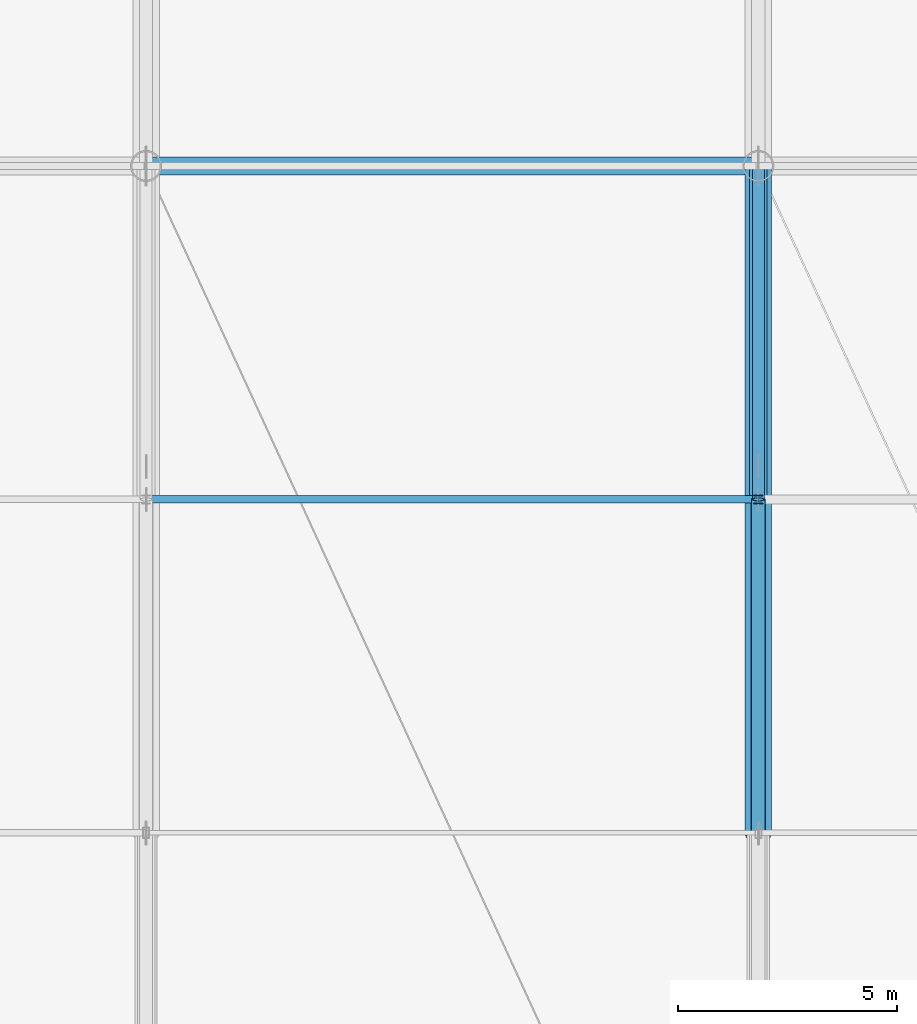
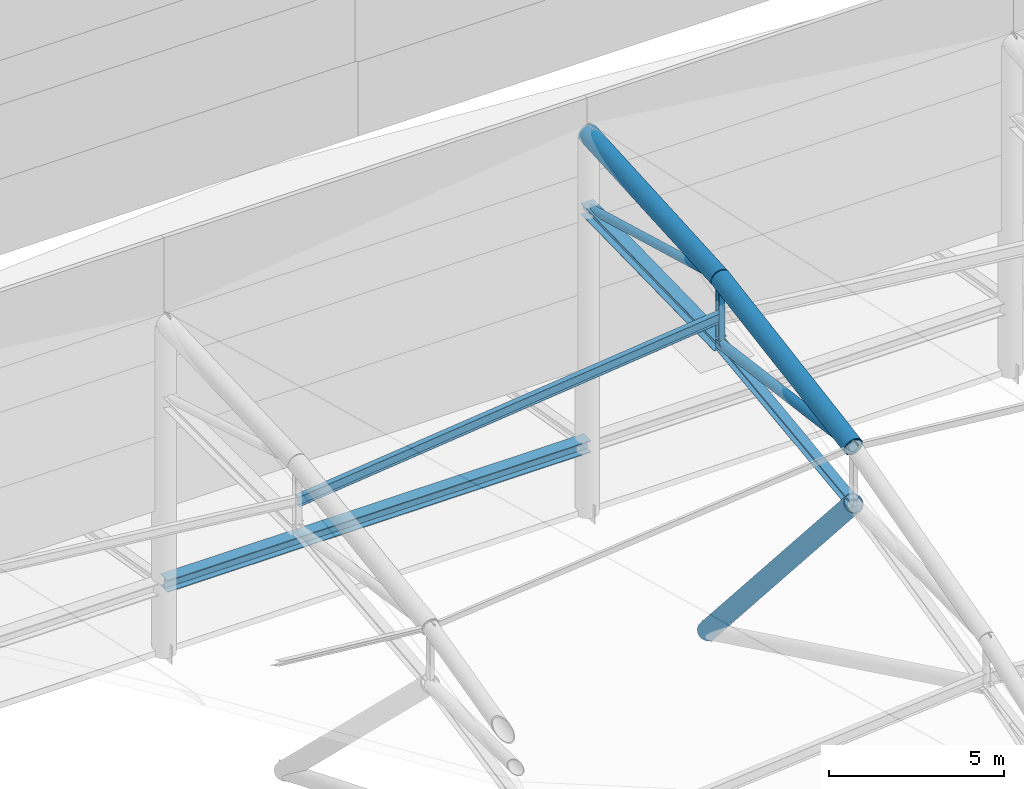
# One storey, part 60 of 113: 9 members, 1 beam.
"""IFC4 building model written with IfcOpenShell, lengths in metres."""

from ifc_helpers import new_model, si_unit, direction, frame, origin, origin_2d, place, context, subcontext, project, spatial, hollow_circle, i_section, extrude, material, material_profile, profile_set, type_object, element, save


model = new_model("IFC4")

# Units and contexts
model_context = context("Model", 3, precision=1e-05, world=origin(), true_north=direction((0.0, 1.0)))
body_context = subcontext(model_context, "Body", "Model", "MODEL_VIEW")
ifc_project = project(units=[si_unit("LENGTHUNIT", "METRE"), si_unit("AREAUNIT", "SQUARE_METRE"), si_unit("VOLUMEUNIT", "CUBIC_METRE"), si_unit("PLANEANGLEUNIT", "RADIAN"), si_unit("MASSUNIT", "GRAM", prefix="KILO")], contexts=[model_context])

# Site, building, storey
site_placement = place(None, origin())
site = spatial("IfcSite", under=ifc_project, at=site_placement, CompositionType="ELEMENT")
building_placement = place(site_placement, origin())
building = spatial("IfcBuilding", under=site, at=building_placement, Name="Linyun Crest Stadium", CompositionType="ELEMENT")
storey_placement = place(building_placement, frame((0.0, 0.0, 26.39990234375)))
storey = spatial("IfcBuildingStorey", under=building, at=storey_placement, Name="L06", CompositionType="ELEMENT", Elevation=26.39990234375)

# Beam
ifc_material_1 = material(Name="Steel Q420C", Category="steel")
ifc_material_profile_1 = material_profile(ifc_material_1, i_section(OverallWidth=0.405029296875, OverallDepth=0.4140625, WebThickness=0.01806640625, FlangeThickness=0.028076171875, at=origin_2d()), Name="HW 414x405")
ifc_profile_set_1 = profile_set([ifc_material_profile_1], Name="Steel Q420C")
beam_type = type_object("IfcBeamType", Name="HB04", PredefinedType="USERDEFINED", material=ifc_profile_set_1)
beam_placement = place(storey_placement, frame((-14.0, 91.5, 2.18505859375), z_axis=(1.0, 0.0, 0.0), x_axis=(0.0, 1.0, 0.0)))
element("IfcBeam", 1, at=beam_placement, inside=storey, type_object=beam_type, Name="Roof Outer compression ring beam HB04 V3 32", ObjectType="RING BEAM", PredefinedType="USERDEFINED", context=body_context, shape_type="SweptSolid", body=[
    extrude(i_section(OverallWidth=0.405029296875, OverallDepth=0.4140625, WebThickness=0.01806640625, FlangeThickness=0.028076171875, at=origin_2d()), origin(), (0.0, 0.0, 1.0), 14.0),
])

# Members
ifc_material_2 = material(Name="Steel Q355B", Category="steel")
ifc_material_profile_2 = material_profile(ifc_material_2, i_section(OverallWidth=0.175048828125, OverallDepth=0.35009765625, WebThickness=0.007080078125, FlangeThickness=0.010986328125, at=origin_2d()), Name="HN 350x175")
ifc_profile_set_2 = profile_set([ifc_material_profile_2], Name="Steel Q355B")
member_type_1 = type_object("IfcMemberType", Name="PR02", PredefinedType="PURLIN", material=ifc_profile_set_2)
member_1_placement = place(storey_placement, frame((-14.0, 83.875, 9.689208984375), z_axis=(0.993911393059, 0.0, 0.110182315947), x_axis=(0.0, 1.0, 0.0)))
element("IfcMember", 2, at=member_1_placement, inside=storey, type_object=member_type_1, Name="Roof canopy purlin PR02 V3 460", PredefinedType="PURLIN", context=body_context, shape_type="SweptSolid", body=[
    extrude(i_section(OverallWidth=0.175048828125, OverallDepth=0.35009765625, WebThickness=0.007080078125, FlangeThickness=0.010986328125, at=origin_2d()), origin(), (0.0, 0.0, 1.0), 14.085693359375),
])
ifc_material_3 = material(Name="Steel Q420C", Category="steel")
ifc_material_profile_3 = material_profile(ifc_material_3, hollow_circle(Radius=0.304931640625, WallThickness=0.030029296875, at=origin_2d()), Name="CHS 610x30")
ifc_profile_set_3 = profile_set([ifc_material_profile_3], Name="Steel Q420C")
member_type_2 = type_object("IfcMemberType", Name="TC02", PredefinedType="CHORD", material=ifc_profile_set_3)
member_2_placement = place(storey_placement, frame((0.0, 91.5, 13.050048828125), z_axis=(0.0, -0.998074401863, -0.062028125449), x_axis=(1.0, 0.0, 0.0)))
element("IfcMember", 3, at=member_2_placement, inside=storey, type_object=member_type_2, Name="Roof truss top chord TC02 V3 401", PredefinedType="CHORD", context=body_context, shape_type="SweptSolid", body=[
    extrude(hollow_circle(Radius=0.304931640625, WallThickness=0.030029296875, at=origin_2d()), origin(), (0.0, 0.0, 1.0), 7.6396484375),
])
member_3_placement = place(storey_placement, frame((0.0, 83.875, 12.576171875), z_axis=(0.0, -0.986323845108, -0.164818908415), x_axis=(1.0, 0.0, 0.0)))
element("IfcMember", 4, at=member_3_placement, inside=storey, type_object=member_type_2, Name="Roof truss top chord TC02 V3 404", PredefinedType="CHORD", context=body_context, shape_type="SweptSolid", body=[
    extrude(hollow_circle(Radius=0.304931640625, WallThickness=0.030029296875, at=origin_2d()), origin(), (0.0, 0.0, 1.0), 7.730712890625),
])
member_4_placement = place(storey_placement, frame((0.0, 84.625, -0.21484375), z_axis=(0.0, -0.659690988312, 0.751536958466), x_axis=(1.0, 0.0, 0.0)))
element("IfcMember", 5, at=member_4_placement, inside=storey, type_object=member_type_2, Name="Roof arch inclined support strut TC02 V3 416", PredefinedType="CHORD", context=body_context, shape_type="SweptSolid", body=[
    extrude(hollow_circle(Radius=0.304931640625, WallThickness=0.030029296875, at=origin_2d()), origin(), (0.0, 0.0, 1.0), 12.6953125),
])
ifc_material_4 = material(Name="Steel Q355C", Category="steel")
ifc_material_profile_4 = material_profile(ifc_material_4, i_section(OverallWidth=0.300048828125, OverallDepth=0.300048828125, WebThickness=0.010009765625, FlangeThickness=0.014892578125, at=origin_2d()), Name="HW 300x300")
ifc_profile_set_4 = profile_set([ifc_material_profile_4], Name="Steel Q355C")
member_type_3 = type_object("IfcMemberType", Name="TC03", PredefinedType="CHORD", material=ifc_profile_set_4)
member_5_placement = place(storey_placement, frame((0.0, 83.875, 10.2880859375), z_axis=(0.0, -0.992136487072, -0.125160660831), x_axis=(1.0, 0.0, 0.0)))
element("IfcMember", 6, at=member_5_placement, inside=storey, type_object=member_type_3, Name="Roof truss bottom chord TC03 V3 405", PredefinedType="CHORD", context=body_context, shape_type="SweptSolid", body=[
    extrude(i_section(OverallWidth=0.300048828125, OverallDepth=0.300048828125, WebThickness=0.010009765625, FlangeThickness=0.014892578125, at=origin_2d()), origin(), (0.0, 0.0, 1.0), 7.685546875),
])
ifc_material_5 = material(Name="Steel Q420C", Category="steel")
ifc_material_profile_5 = material_profile(ifc_material_5, i_section(OverallWidth=0.407958984375, OverallDepth=0.39990234375, WebThickness=0.02099609375, FlangeThickness=0.02099609375, at=origin_2d()), Name="HW 400x408")
ifc_profile_set_5 = profile_set([ifc_material_profile_5], Name="Steel Q420C")
member_type_4 = type_object("IfcMemberType", Name="TC04", PredefinedType="CHORD", material=ifc_profile_set_5)
member_6_placement = place(storey_placement, frame((0.0, 91.5, 10.4501953125), z_axis=(0.0, -0.999774077557, -0.021255442735), x_axis=(1.0, 0.0, 0.0)))
element("IfcMember", 7, at=member_6_placement, inside=storey, type_object=member_type_4, Name="Roof truss bottom chord TC04 V3 402", PredefinedType="CHORD", context=body_context, shape_type="SweptSolid", body=[
    extrude(i_section(OverallWidth=0.407958984375, OverallDepth=0.39990234375, WebThickness=0.02099609375, FlangeThickness=0.02099609375, at=origin_2d()), origin(), (0.0, 0.0, 1.0), 7.626708984375),
])
ifc_material_6 = material(Name="Steel Q355C", Category="steel")
ifc_material_profile_6 = material_profile(ifc_material_6, hollow_circle(Radius=0.136474609375, WallThickness=0.013916015625, at=origin_2d()), Name="CHS 273x14")
ifc_profile_set_6 = profile_set([ifc_material_profile_6], Name="Steel Q355C")
member_type_5 = type_object("IfcMemberType", Name="TD01", PredefinedType="BRACE", material=ifc_profile_set_6)
member_7_placement = place(storey_placement, frame((0.0, 91.5, 10.4501953125), z_axis=(0.0, -0.963259413562, 0.268572713028), x_axis=(1.0, 0.0, 0.0)))
element("IfcMember", 8, at=member_7_placement, inside=storey, type_object=member_type_5, Name="Roof truss diagonal TD01 V3 403", PredefinedType="BRACE", context=body_context, shape_type="SweptSolid", body=[
    extrude(hollow_circle(Radius=0.136474609375, WallThickness=0.013916015625, at=origin_2d()), origin(), (0.0, 0.0, 1.0), 7.915771484375),
])
ifc_material_7 = material(Name="Steel Q355C", Category="steel")
ifc_material_profile_7 = material_profile(ifc_material_7, hollow_circle(Radius=0.16259765625, WallThickness=0.01611328125, at=origin_2d()), Name="CHS 325x16")
ifc_profile_set_7 = profile_set([ifc_material_profile_7], Name="Steel Q355C")
member_type_6 = type_object("IfcMemberType", Name="TD02", PredefinedType="BRACE", material=ifc_profile_set_7)
member_8_placement = place(storey_placement, frame((0.0, 83.875, 10.2880859375), z_axis=(0.0, -0.991274684729, 0.131812364424), x_axis=(1.0, 0.0, 0.0)))
element("IfcMember", 9, at=member_8_placement, inside=storey, type_object=member_type_6, Name="Roof truss diagonal TD02 V3 406", PredefinedType="BRACE", context=body_context, shape_type="SweptSolid", body=[
    extrude(hollow_circle(Radius=0.16259765625, WallThickness=0.01611328125, at=origin_2d()), origin(), (0.0, 0.0, 1.0), 7.692138671875),
])
ifc_material_8 = material(Name="Steel Q355C", Category="steel")
ifc_material_profile_8 = material_profile(ifc_material_8, i_section(OverallWidth=0.199951171875, OverallDepth=0.199951171875, WebThickness=0.008056640625, FlangeThickness=0.011962890625, at=origin_2d()), Name="HW 200x200")
ifc_profile_set_8 = profile_set([ifc_material_profile_8], Name="Steel Q355C")
member_type_7 = type_object("IfcMemberType", Name="TV02", PredefinedType="STRUT", material=ifc_profile_set_8)
member_9_placement = place(storey_placement, frame((0.0, 83.875, 10.2880859375), z_axis=(0.0, 0.0, 1.0), x_axis=(1.0, 0.0, 0.0)))
element("IfcMember", 10, at=member_9_placement, inside=storey, type_object=member_type_7, Name="Roof vertical strut TV02 V3 407", PredefinedType="STRUT", context=body_context, shape_type="SweptSolid", body=[
    extrude(i_section(OverallWidth=0.199951171875, OverallDepth=0.199951171875, WebThickness=0.008056640625, FlangeThickness=0.011962890625, at=origin_2d()), origin(), (0.0, 0.0, 1.0), 2.2880859375),
])

save(model, "model.ifc")
